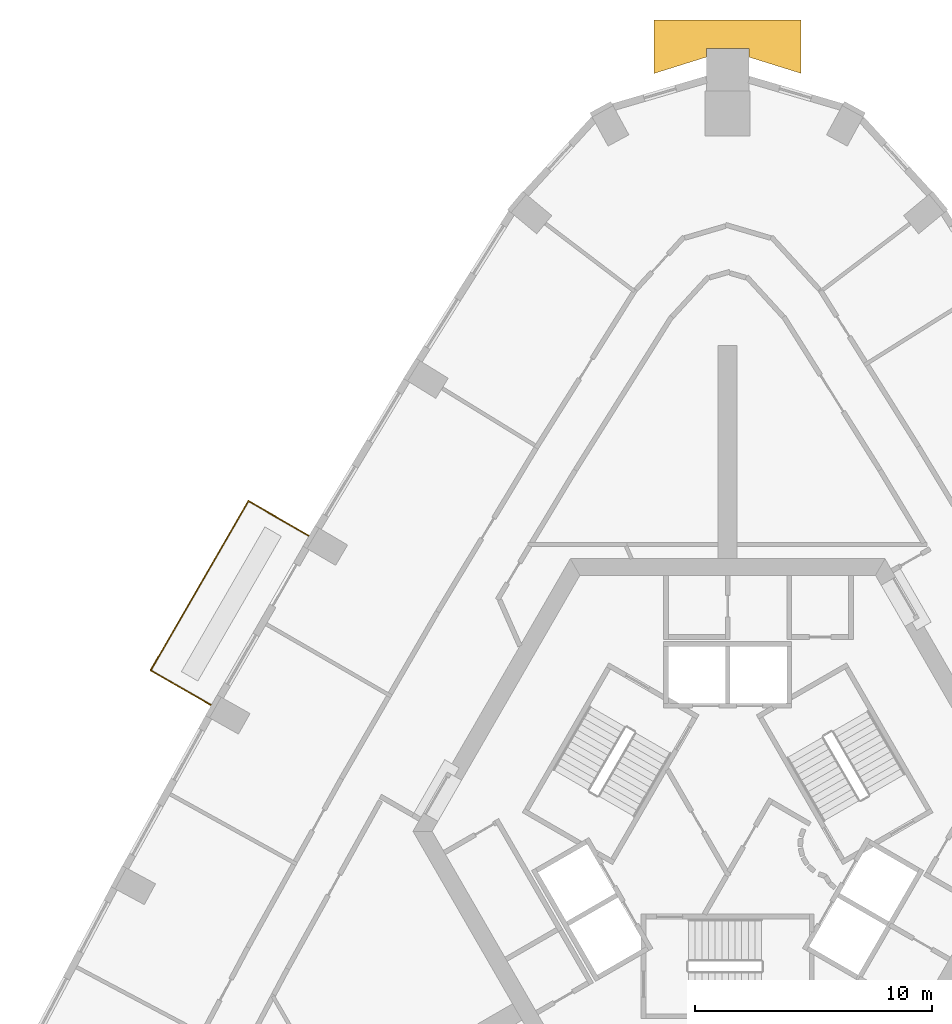
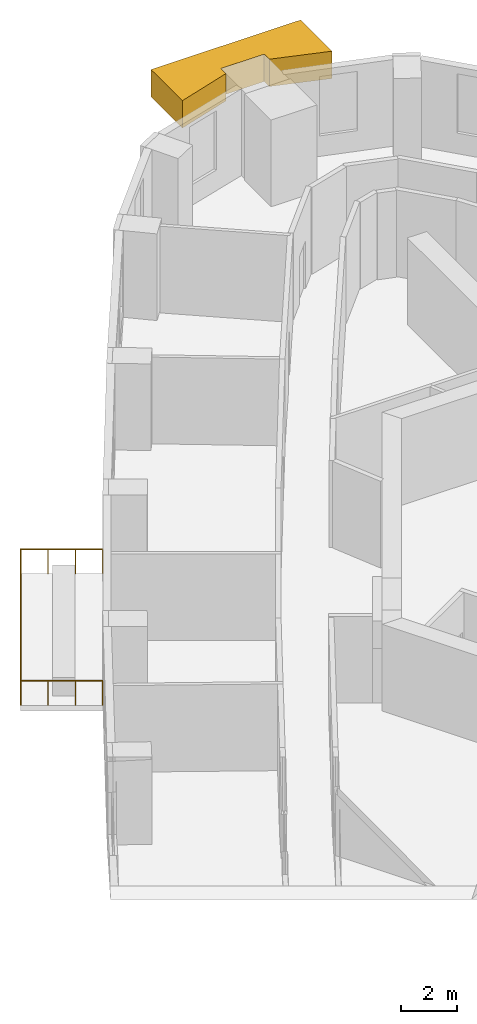
# One storey, part 13 of 13: 1 covering, 1 railing.
"""IFC4 building model written with IfcOpenShell, lengths in metres."""

from ifc_helpers import new_model, si_unit, direction, frame, origin, origin_2d, place, context, subcontext, project, spatial, polyline, circle, outline, extrude, material, type_object, element, save


model = new_model("IFC4")

# Units and contexts
model_context = context("Model", 3, precision=1e-05, world=origin(), true_north=direction((0.0, 1.0)))
body_context = subcontext(model_context, "Body", "Model", "MODEL_VIEW")
ifc_project = project(units=[si_unit("LENGTHUNIT", "METRE"), si_unit("AREAUNIT", "SQUARE_METRE"), si_unit("VOLUMEUNIT", "CUBIC_METRE"), si_unit("PLANEANGLEUNIT", "RADIAN"), si_unit("MASSUNIT", "GRAM", prefix="KILO")], contexts=[model_context])

# Site, building, storey
site_placement = place(None, origin())
site = spatial("IfcSite", under=ifc_project, at=site_placement, CompositionType="ELEMENT")
building_placement = place(site_placement, origin())
building = spatial("IfcBuilding", under=site, at=building_placement, Name="Entoto Arch Interchange Tower", CompositionType="ELEMENT")
storey_placement = place(building_placement, frame((0.0, 0.0, 223.39990234375)))
storey = spatial("IfcBuildingStorey", under=building, at=storey_placement, Name="L50", CompositionType="ELEMENT", Elevation=223.39990234375)

# Railing
ifc_material_1 = material(Name="Stainless steel 1.4301", Category="steel")
railing_type = type_object("IfcRailingType", Name="GUARD 1100 STEEL AND GLASS", PredefinedType="GUARDRAIL", material=ifc_material_1)
railing_placement = place(storey_placement, frame((-17.6669921875, 14.9619140625, 0.0)))
element("IfcRailing", 1, at=railing_placement, inside=storey, type_object=railing_type, Name="Balcony guard NW-03 L50", PredefinedType="GUARDRAIL", context=body_context, shape_type="SweptSolid", body=[
    extrude(circle(Radius=0.02392578125, at=origin_2d()), frame((0.0, 0.0, 1.076171875), z_axis=(-0.866024349092, 0.500001826776, 0.0), x_axis=(-0.500001826776, -0.866024349092, 0.0)), (0.0, 0.0, 1.0), 2.9501953125),
    extrude(circle(Radius=0.02392578125, at=origin_2d()), frame((-2.554931640625, 1.47509765625, 1.076171875), z_axis=(-0.499997465321, -0.866026867177, 0.0), x_axis=(0.866026867177, -0.499997465321, 0.0)), (0.0, 0.0, 1.0), 8.248046875),
    extrude(circle(Radius=0.02392578125, at=origin_2d()), frame((-6.678955078125, -5.66796875, 1.076171875), z_axis=(0.866060182126, -0.499939757307, 0.0), x_axis=(0.499939757307, 0.866060182126, 0.0)), (0.0, 0.0, 1.0), 2.949951171875),
    extrude(circle(Radius=0.02099609375, at=origin_2d()), origin(), (0.0, 0.0, 1.0), 1.052001953125),
    extrude(circle(Radius=0.02099609375, at=origin_2d()), frame((-0.8515625, 0.49169921875, 0.0)), (0.0, 0.0, 1.0), 1.052001953125),
    extrude(circle(Radius=0.02099609375, at=origin_2d()), frame((-1.703369140625, 0.9833984375, 0.0)), (0.0, 0.0, 1.0), 1.052001953125),
    extrude(circle(Radius=0.02099609375, at=origin_2d()), frame((-2.554931640625, 1.47509765625, 0.0)), (0.0, 0.0, 1.0), 1.052001953125),
    extrude(circle(Radius=0.02099609375, at=origin_2d()), frame((-3.14404296875, 0.45458984375, 0.0)), (0.0, 0.0, 1.0), 1.052001953125),
    extrude(circle(Radius=0.02099609375, at=origin_2d()), frame((-3.733154296875, -0.565673828125, 0.0)), (0.0, 0.0, 1.0), 1.052001953125),
    extrude(circle(Radius=0.02099609375, at=origin_2d()), frame((-4.322265625, -1.586181640625, 0.0)), (0.0, 0.0, 1.0), 1.052001953125),
    extrude(circle(Radius=0.02099609375, at=origin_2d()), frame((-4.91162109375, -2.606689453125, 0.0)), (0.0, 0.0, 1.0), 1.052001953125),
    extrude(circle(Radius=0.02099609375, at=origin_2d()), frame((-5.500732421875, -3.627197265625, 0.0)), (0.0, 0.0, 1.0), 1.052001953125),
    extrude(circle(Radius=0.02099609375, at=origin_2d()), frame((-6.08984375, -4.6474609375, 0.0)), (0.0, 0.0, 1.0), 1.052001953125),
    extrude(circle(Radius=0.02099609375, at=origin_2d()), frame((-6.678955078125, -5.66796875, 0.0)), (0.0, 0.0, 1.0), 1.052001953125),
    extrude(circle(Radius=0.02099609375, at=origin_2d()), frame((-5.827392578125, -6.15966796875, 0.0)), (0.0, 0.0, 1.0), 1.052001953125),
    extrude(circle(Radius=0.02099609375, at=origin_2d()), frame((-4.9755859375, -6.651123046875, 0.0)), (0.0, 0.0, 1.0), 1.052001953125),
    extrude(circle(Radius=0.02099609375, at=origin_2d()), frame((-4.1240234375, -7.142822265625, 0.0)), (0.0, 0.0, 1.0), 1.052001953125),
])

# Covering
ifc_material_2 = material(Name="Board-marked precast concrete C50/60", Category="concrete")
covering_type = type_object("IfcCoveringType", Name="PRECAST FRAME COURSE", PredefinedType="CLADDING", material=ifc_material_2)
covering_placement = place(storey_placement, frame((0.0, 0.0, 2.60009765625)))
element("IfcCovering", 2, at=covering_placement, inside=storey, type_object=covering_type, Name="Corner pilaster head N L48-L50", PredefinedType="CLADDING", context=body_context, shape_type="SweptSolid", body=[
    extrude(outline(polyline([(-3.10009765625, 36.73193359375), (3.10009765625, 36.73193359375), (3.10009765625, 34.47705078125), (0.89990234375, 35.166015625), (0.89990234375, 35.531982421875), (-0.89990234375, 35.531982421875), (-0.89990234375, 35.166015625), (-3.10009765625, 34.47705078125), (-3.10009765625, 36.73193359375)])), origin(), (0.0, 0.0, 1.0), 1.199951171875),
])

save(model, "model.ifc")
